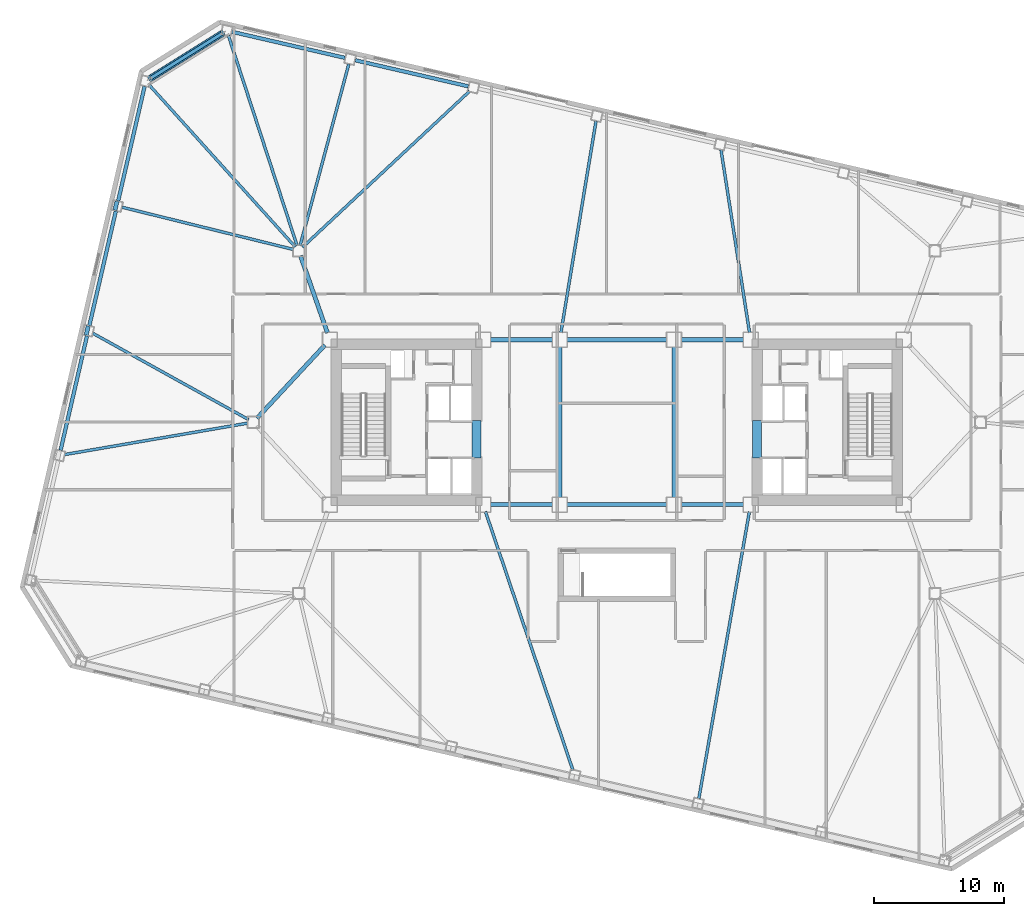
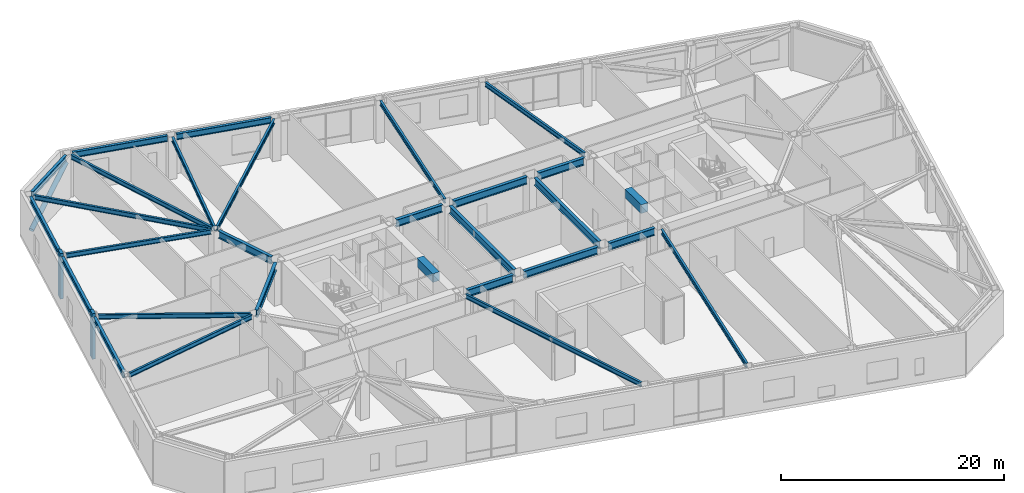
# One storey, part 5 of 19: 29 beams, 3 members.
"""IFC4 building model written with IfcOpenShell, lengths in metres."""

from ifc_helpers import new_model, si_unit, direction, frame, origin, origin_2d, place, context, subcontext, project, spatial, rectangle, hollow_circle, i_section, extrude, material, material_profile, profile_set, type_object, element, save


model = new_model("IFC4")

# Units and contexts
model_context = context("Model", 3, precision=1e-05, world=origin(), true_north=direction((0.0, 1.0)))
body_context = subcontext(model_context, "Body", "Model", "MODEL_VIEW")
ifc_project = project(units=[si_unit("LENGTHUNIT", "METRE"), si_unit("AREAUNIT", "SQUARE_METRE"), si_unit("VOLUMEUNIT", "CUBIC_METRE"), si_unit("PLANEANGLEUNIT", "RADIAN"), si_unit("MASSUNIT", "GRAM", prefix="KILO")], contexts=[model_context])

# Site, building, storey
site_placement = place(None, origin())
site = spatial("IfcSite", under=ifc_project, at=site_placement, CompositionType="ELEMENT")
building_placement = place(site_placement, origin())
building = spatial("IfcBuilding", under=site, at=building_placement, Name="Tavrogorsk Clinical Tower", CompositionType="ELEMENT")
storey_placement = place(building_placement, frame((0.0, 0.0, 28.39990234375)))
storey = spatial("IfcBuildingStorey", under=building, at=storey_placement, Name="L05", CompositionType="ELEMENT", Elevation=28.39990234375)

# Beams
ifc_material_1 = material(Name="Concrete B80", Category="concrete")
ifc_material_profile_1 = material_profile(ifc_material_1, rectangle(XDim=0.699951171875, YDim=0.949951171875, at=origin_2d()), Name="RC-CB-700x950")
ifc_profile_set_1 = profile_set([ifc_material_profile_1], Name="Concrete B80")
beam_type_1 = type_object("IfcBeamType", Name="CouplingBeam_RC700x950", PredefinedType="LINTEL", material=ifc_profile_set_1)
for number, where, z_axis, x_axis, name in (
    (1, (-10.800048828125, -2.75, 4.205078125), (0.0, 1.0, 0.0), (-1.0, 0.0, 0.0), "L05 Core West Coupling Beam"),
    (2, (10.800048828125, -2.75, 4.205078125), (0.0, 1.0, 0.0), (-1.0, 0.0, 0.0), "L05 Core East Coupling Beam"),
):
    element("IfcBeam", number, at=place(storey_placement, frame(where, z_axis=z_axis, x_axis=x_axis)), inside=storey, type_object=beam_type_1, Name=name, PredefinedType="LINTEL", context=body_context, shape_type="SweptSolid", body=[
        extrude(rectangle(XDim=0.699951171875, YDim=0.949951171875, at=origin_2d()), origin(), (0.0, 0.0, 1.0), 2.89990234375),
    ])

# Member
ifc_material_2 = material(Name="Structural steel S440", Category="steel")
ifc_material_profile_2 = material_profile(ifc_material_2, hollow_circle(Radius=0.25390625, WallThickness=0.02001953125, at=origin_2d()), Name="CHS-508x20")
ifc_profile_set_2 = profile_set([ifc_material_profile_2], Name="Structural steel S440")
member_type_1 = type_object("IfcMemberType", Name="ExoBrace_CHS508", PredefinedType="BRACE", material=ifc_profile_set_2)
member_placement = place(storey_placement, frame((-35.966796875, 26.453125, 0.482666015625), z_axis=(0.758402804717, 0.473861674203, 0.447526870163), x_axis=(-0.529886295154, 0.848068696633, 0.0)))
element("IfcMember", 3, at=member_placement, inside=storey, type_object=member_type_1, Name="L05 Corner Exoskeleton Brace N8-W1", PredefinedType="BRACE", context=body_context, shape_type="SweptSolid", body=[
    extrude(hollow_circle(Radius=0.25390625, WallThickness=0.02001953125, at=origin_2d()), origin(), (0.0, 0.0, 1.0), 7.4072265625),
])

# Beams
ifc_material_3 = material(Name="Structural steel S355", Category="steel")
ifc_material_profile_3 = material_profile(ifc_material_3, i_section(OverallWidth=0.219970703125, OverallDepth=0.5, WebThickness=0.012939453125, FlangeThickness=0.02001953125, at=origin_2d()), Name="B-500x220x13x20")
ifc_profile_set_3 = profile_set([ifc_material_profile_3], Name="Structural steel S355")
beam_type_2 = type_object("IfcBeamType", Name="FloorBeam_B500", PredefinedType="BEAM", material=ifc_profile_set_3)
beam_1_placement = place(storey_placement, frame((-10.12060546875, -6.88037109375, 4.43017578125), z_axis=(0.320354062285, -0.947297880699, 0.0), x_axis=(0.947297880699, 0.320354062285, 0.0)))
element("IfcBeam", 4, at=beam_1_placement, inside=storey, type_object=beam_type_2, Name="L05 Radial Floor Beam S5", PredefinedType="BEAM", context=body_context, shape_type="SweptSolid", body=[
    extrude(i_section(OverallWidth=0.219970703125, OverallDepth=0.5, WebThickness=0.012939453125, FlangeThickness=0.02001953125, at=origin_2d()), origin(), (0.0, 0.0, 1.0), 21.0185546875),
])
beam_2_placement = place(storey_placement, frame((10.202880859375, -6.901611328125, 4.43017578125), z_axis=(-0.173586433417, -0.984818638194, 0.0), x_axis=(0.984818638194, -0.173586433417, 0.0)))
element("IfcBeam", 5, at=beam_2_placement, inside=storey, type_object=beam_type_2, Name="L05 Radial Floor Beam S6", PredefinedType="BEAM", context=body_context, shape_type="SweptSolid", body=[
    extrude(i_section(OverallWidth=0.219970703125, OverallDepth=0.5, WebThickness=0.012939453125, FlangeThickness=0.02001953125, at=origin_2d()), origin(), (0.0, 0.0, 1.0), 22.407470703125),
])
beam_3_placement = place(storey_placement, frame((10.213623046875, 6.9033203125, 4.43017578125), z_axis=(-0.154089917001, 0.988056829073, 0.0), x_axis=(-0.988056829073, -0.154089917001, 0.0)))
element("IfcBeam", 6, at=beam_3_placement, inside=storey, type_object=beam_type_2, Name="L05 Radial Floor Beam N4", PredefinedType="BEAM", context=body_context, shape_type="SweptSolid", body=[
    extrude(i_section(OverallWidth=0.219970703125, OverallDepth=0.5, WebThickness=0.012939453125, FlangeThickness=0.02001953125, at=origin_2d()), origin(), (0.0, 0.0, 1.0), 14.24853515625),
])
beam_4_placement = place(storey_placement, frame((-4.308349609375, 6.90234375, 4.43017578125), z_axis=(0.163563683006, 0.986532777763, 0.0), x_axis=(-0.986532777763, 0.163563683006, 0.0)))
element("IfcBeam", 7, at=beam_4_placement, inside=storey, type_object=beam_type_2, Name="L05 Radial Floor Beam N5", PredefinedType="BEAM", context=body_context, shape_type="SweptSolid", body=[
    extrude(i_section(OverallWidth=0.219970703125, OverallDepth=0.5, WebThickness=0.012939453125, FlangeThickness=0.02001953125, at=origin_2d()), origin(), (0.0, 0.0, 1.0), 16.4951171875),
])
beam_5_placement = place(storey_placement, frame((-24.200439453125, 13.47998046875, 4.43017578125), z_axis=(0.730781163302, 0.682611816015, 0.0), x_axis=(-0.682611816015, 0.730781163302, 0.0)))
element("IfcBeam", 8, at=beam_5_placement, inside=storey, type_object=beam_type_2, Name="L05 Radial Floor Beam N6", PredefinedType="BEAM", context=body_context, shape_type="SweptSolid", body=[
    extrude(i_section(OverallWidth=0.219970703125, OverallDepth=0.5, WebThickness=0.012939453125, FlangeThickness=0.02001953125, at=origin_2d()), origin(), (0.0, 0.0, 1.0), 17.597412109375),
])
beam_6_placement = place(storey_placement, frame((-24.393798828125, 13.595947265625, 4.43017578125), z_axis=(0.25900262632, 0.965876617151, 0.0), x_axis=(-0.965876617151, 0.25900262632, 0.0)))
element("IfcBeam", 9, at=beam_6_placement, inside=storey, type_object=beam_type_2, Name="L05 Radial Floor Beam N7", PredefinedType="BEAM", context=body_context, shape_type="SweptSolid", body=[
    extrude(i_section(OverallWidth=0.219970703125, OverallDepth=0.5, WebThickness=0.012939453125, FlangeThickness=0.02001953125, at=origin_2d()), origin(), (0.0, 0.0, 1.0), 14.46728515625),
])
beam_7_placement = place(storey_placement, frame((-24.62744140625, 13.58984375, 4.43017578125), z_axis=(-0.310546210819, 0.950558283824, 0.0), x_axis=(-0.950558283824, -0.310546210819, 0.0)))
element("IfcBeam", 10, at=beam_7_placement, inside=storey, type_object=beam_type_2, Name="L05 Radial Floor Beam N8", PredefinedType="BEAM", context=body_context, shape_type="SweptSolid", body=[
    extrude(i_section(OverallWidth=0.219970703125, OverallDepth=0.5, WebThickness=0.012939453125, FlangeThickness=0.02001953125, at=origin_2d()), origin(), (0.0, 0.0, 1.0), 17.0205078125),
])
beam_8_placement = place(storey_placement, frame((-24.774658203125, 13.50439453125, 4.43017578125), z_axis=(-0.669660294237, 0.742667550337, 0.0), x_axis=(-0.742667550337, -0.669660294237, 0.0)))
element("IfcBeam", 11, at=beam_8_placement, inside=storey, type_object=beam_type_2, Name="L05 Radial Floor Beam W1", PredefinedType="BEAM", context=body_context, shape_type="SweptSolid", body=[
    extrude(i_section(OverallWidth=0.219970703125, OverallDepth=0.5, WebThickness=0.012939453125, FlangeThickness=0.02001953125, at=origin_2d()), origin(), (0.0, 0.0, 1.0), 16.76708984375),
])
beam_9_placement = place(storey_placement, frame((-24.89794921875, 13.298095703125, 4.43017578125), z_axis=(-0.970889910259, 0.23952616174, 0.0), x_axis=(-0.23952616174, -0.970889910259, 0.0)))
element("IfcBeam", 12, at=beam_9_placement, inside=storey, type_object=beam_type_2, Name="L05 Radial Floor Beam W2", PredefinedType="BEAM", context=body_context, shape_type="SweptSolid", body=[
    extrude(i_section(OverallWidth=0.219970703125, OverallDepth=0.5, WebThickness=0.012939453125, FlangeThickness=0.02001953125, at=origin_2d()), origin(), (0.0, 0.0, 1.0), 13.595947265625),
])
beam_10_placement = place(storey_placement, frame((-28.358642578125, 0.19873046875, 4.43017578125), z_axis=(-0.874654711976, 0.484746464472, 0.0), x_axis=(-0.484746464472, -0.874654711976, 0.0)))
element("IfcBeam", 13, at=beam_10_placement, inside=storey, type_object=beam_type_2, Name="L05 Radial Floor Beam W3", PredefinedType="BEAM", context=body_context, shape_type="SweptSolid", body=[
    extrude(i_section(OverallWidth=0.219970703125, OverallDepth=0.5, WebThickness=0.012939453125, FlangeThickness=0.02001953125, at=origin_2d()), origin(), (0.0, 0.0, 1.0), 13.7158203125),
])
beam_11_placement = place(storey_placement, frame((-28.404052734375, -0.0693359375, 4.43017578125), z_axis=(-0.985592408786, -0.169137824698, 0.0), x_axis=(0.169137824698, -0.985592408786, 0.0)))
element("IfcBeam", 14, at=beam_11_placement, inside=storey, type_object=beam_type_2, Name="L05 Radial Floor Beam W4", PredefinedType="BEAM", context=body_context, shape_type="SweptSolid", body=[
    extrude(i_section(OverallWidth=0.219970703125, OverallDepth=0.5, WebThickness=0.012939453125, FlangeThickness=0.02001953125, at=origin_2d()), origin(), (0.0, 0.0, 1.0), 14.33056640625),
])

# Members
ifc_material_4 = material(Name="Precast concrete B45 with limestone cladding", Category="masonry")
ifc_material_profile_4 = material_profile(ifc_material_4, rectangle(XDim=0.320068359375, YDim=0.719970703125, at=origin_2d()), Name="LIMESTONE-FIN-320x720")
ifc_profile_set_4 = profile_set([ifc_material_profile_4], Name="Precast concrete B45 with limestone cladding")
member_type_2 = type_object("IfcMemberType", Name="LimestonePleatFin_320x720", PredefinedType="USERDEFINED", material=ifc_profile_set_4)
for number, where, z_axis, x_axis, name in (
    (15, (-38.572265625, 16.67041015625, 0.0), (0.0, 0.0, 1.0), (0.974370064785, -0.224951054344, 0.0), "L05 W Pleated Stone Fin 1"),
    (16, (-40.7900390625, 7.06298828125, 0.0), (0.0, 0.0, 1.0), (0.974370064785, -0.224951054344, 0.0), "L05 W Pleated Stone Fin 2"),
):
    element("IfcMember", number, at=place(storey_placement, frame(where, z_axis=z_axis, x_axis=x_axis)), inside=storey, type_object=member_type_2, Name=name, ObjectType="FIN", PredefinedType="USERDEFINED", context=body_context, shape_type="SweptSolid", body=[
        extrude(rectangle(XDim=0.320068359375, YDim=0.719970703125, at=origin_2d()), origin(), (0.0, 0.0, 1.0), 5.0),
    ])

# Beams
ifc_material_5 = material(Name="Structural steel S390", Category="steel")
ifc_material_profile_5 = material_profile(ifc_material_5, i_section(OverallWidth=0.320068359375, OverallDepth=0.800048828125, WebThickness=0.02001953125, FlangeThickness=0.033935546875, at=origin_2d()), Name="B-800x320x20x34")
ifc_profile_set_5 = profile_set([ifc_material_profile_5], Name="Structural steel S390")
beam_type_3 = type_object("IfcBeamType", Name="PrimaryGirder_B800", PredefinedType="USERDEFINED", material=ifc_profile_set_5)
for number, where, z_axis, x_axis, name in (
    (17, (-9.739990234375, -6.35009765625, 4.280029296875), (1.0, 0.0, 0.0), (0.0, 1.0, 0.0), "L05 Primary Spine Girder MG-01"),
    (18, (-9.739990234375, 6.35009765625, 4.280029296875), (1.0, 0.0, 0.0), (0.0, 1.0, 0.0), "L05 Primary Spine Girder MG-02"),
):
    element("IfcBeam", number, at=place(storey_placement, frame(where, z_axis=z_axis, x_axis=x_axis)), inside=storey, type_object=beam_type_3, Name=name, ObjectType="GIRDER", PredefinedType="USERDEFINED", context=body_context, shape_type="SweptSolid", body=[
        extrude(i_section(OverallWidth=0.320068359375, OverallDepth=0.800048828125, WebThickness=0.02001953125, FlangeThickness=0.033935546875, at=origin_2d()), origin(), (0.0, 0.0, 1.0), 4.780029296875),
    ])
for number, where, z_axis, x_axis, name in (
    (19, (-3.840087890625, -6.35009765625, 4.280029296875), (1.0, 0.0, 0.0), (0.0, 1.0, 0.0), "L05 Primary Spine Girder MG-03"),
    (20, (-3.840087890625, 6.35009765625, 4.280029296875), (1.0, 0.0, 0.0), (0.0, 1.0, 0.0), "L05 Primary Spine Girder MG-04"),
):
    element("IfcBeam", number, at=place(storey_placement, frame(where, z_axis=z_axis, x_axis=x_axis)), inside=storey, type_object=beam_type_3, Name=name, ObjectType="GIRDER", PredefinedType="USERDEFINED", context=body_context, shape_type="SweptSolid", body=[
        extrude(i_section(OverallWidth=0.320068359375, OverallDepth=0.800048828125, WebThickness=0.02001953125, FlangeThickness=0.033935546875, at=origin_2d()), origin(), (0.0, 0.0, 1.0), 7.68017578125),
    ])
for number, where, z_axis, x_axis, name in (
    (21, (4.9599609375, -6.35009765625, 4.280029296875), (1.0, 0.0, 0.0), (0.0, 1.0, 0.0), "L05 Primary Spine Girder MG-05"),
    (22, (4.9599609375, 6.35009765625, 4.280029296875), (1.0, 0.0, 0.0), (0.0, 1.0, 0.0), "L05 Primary Spine Girder MG-06"),
):
    element("IfcBeam", number, at=place(storey_placement, frame(where, z_axis=z_axis, x_axis=x_axis)), inside=storey, type_object=beam_type_3, Name=name, ObjectType="GIRDER", PredefinedType="USERDEFINED", context=body_context, shape_type="SweptSolid", body=[
        extrude(i_section(OverallWidth=0.320068359375, OverallDepth=0.800048828125, WebThickness=0.02001953125, FlangeThickness=0.033935546875, at=origin_2d()), origin(), (0.0, 0.0, 1.0), 4.780029296875),
    ])
for number, where, z_axis, x_axis, name in (
    (23, (-4.39990234375, -5.7900390625, 4.280029296875), (0.0, 1.0, 0.0), (-1.0, 0.0, 0.0), "L05 Primary Spine Girder MG-07"),
    (24, (4.39990234375, -5.7900390625, 4.280029296875), (0.0, 1.0, 0.0), (-1.0, 0.0, 0.0), "L05 Primary Spine Girder MG-08"),
):
    element("IfcBeam", number, at=place(storey_placement, frame(where, z_axis=z_axis, x_axis=x_axis)), inside=storey, type_object=beam_type_3, Name=name, ObjectType="GIRDER", PredefinedType="USERDEFINED", context=body_context, shape_type="SweptSolid", body=[
        extrude(i_section(OverallWidth=0.320068359375, OverallDepth=0.800048828125, WebThickness=0.02001953125, FlangeThickness=0.033935546875, at=origin_2d()), origin(), (0.0, 0.0, 1.0), 11.580078125),
    ])
beam_12_placement = place(storey_placement, frame((-24.364501953125, 12.81298828125, 4.280029296875), z_axis=(0.330668611543, -0.943746930771, 0.0), x_axis=(0.943746930771, 0.330668611543, 0.0)))
element("IfcBeam", 25, at=beam_12_placement, inside=storey, type_object=beam_type_3, Name="L05 Spine Link Girder OPG-3", ObjectType="GIRDER", PredefinedType="USERDEFINED", context=body_context, shape_type="SweptSolid", body=[
    extrude(i_section(OverallWidth=0.320068359375, OverallDepth=0.800048828125, WebThickness=0.02001953125, FlangeThickness=0.033935546875, at=origin_2d()), origin(), (0.0, 0.0, 1.0), 6.288330078125),
])
beam_13_placement = place(storey_placement, frame((-27.720947265625, 0.30029296875, 4.280029296875), z_axis=(0.680671250221, 0.732589004233, 0.0), x_axis=(-0.732589004233, 0.680671250221, 0.0)))
element("IfcBeam", 26, at=beam_13_placement, inside=storey, type_object=beam_type_3, Name="L05 Spine Link Girder OPG-6", ObjectType="GIRDER", PredefinedType="USERDEFINED", context=body_context, shape_type="SweptSolid", body=[
    extrude(i_section(OverallWidth=0.320068359375, OverallDepth=0.800048828125, WebThickness=0.02001953125, FlangeThickness=0.033935546875, at=origin_2d()), origin(), (0.0, 0.0, 1.0), 7.697998046875),
])
ifc_material_6 = material(Name="Structural steel S390", Category="steel")
ifc_material_profile_6 = material_profile(ifc_material_6, i_section(OverallWidth=0.280029296875, OverallDepth=0.64990234375, WebThickness=0.01611328125, FlangeThickness=0.02490234375, at=origin_2d()), Name="B-650x280x16x25")
ifc_profile_set_6 = profile_set([ifc_material_profile_6], Name="Structural steel S390")
beam_type_4 = type_object("IfcBeamType", Name="SpandrelBeam_B650", PredefinedType="SPANDREL", material=ifc_profile_set_6)
for number, where, z_axis, x_axis, name in (
    (27, (-11.43994140625, 25.862548828125, 4.35498046875), (-0.974372766602, 0.224939351168, 0.0), (-0.224939351168, -0.974372766602, 0.0), "L05 Perimeter Spandrel N6-N7"),
    (28, (-20.9384765625, 28.055419921875, 4.35498046875), (-0.974366775889, 0.224965299645, 0.0), (-0.224965299645, -0.974366775889, 0.0), "L05 Perimeter Spandrel N7-N8"),
):
    element("IfcBeam", number, at=place(storey_placement, frame(where, z_axis=z_axis, x_axis=x_axis)), inside=storey, type_object=beam_type_4, Name=name, PredefinedType="SPANDREL", context=body_context, shape_type="SweptSolid", body=[
        extrude(i_section(OverallWidth=0.280029296875, OverallDepth=0.64990234375, WebThickness=0.01611328125, FlangeThickness=0.02490234375, at=origin_2d()), origin(), (0.0, 0.0, 1.0), 8.9326171875),
    ])
beam_14_placement = place(storey_placement, frame((-30.3857421875, 29.9404296875, 4.35498046875), z_axis=(-0.848044454239, -0.529925092475, 0.0), x_axis=(0.529925092475, -0.848044454239, 0.0)))
element("IfcBeam", 29, at=beam_14_placement, inside=storey, type_object=beam_type_4, Name="L05 Perimeter Spandrel N8-W1", PredefinedType="SPANDREL", context=body_context, shape_type="SweptSolid", body=[
    extrude(i_section(OverallWidth=0.280029296875, OverallDepth=0.64990234375, WebThickness=0.01611328125, FlangeThickness=0.02490234375, at=origin_2d()), origin(), (0.0, 0.0, 1.0), 6.537841796875),
])
beam_15_placement = place(storey_placement, frame((-36.367919921875, 25.862060546875, 4.35498046875), z_axis=(-0.224952169462, -0.974369807339, 0.0), x_axis=(0.974369807339, -0.224952169462, 0.0)))
element("IfcBeam", 30, at=beam_15_placement, inside=storey, type_object=beam_type_4, Name="L05 Perimeter Spandrel W1-W2", PredefinedType="SPANDREL", context=body_context, shape_type="SweptSolid", body=[
    extrude(i_section(OverallWidth=0.280029296875, OverallDepth=0.64990234375, WebThickness=0.01611328125, FlangeThickness=0.02490234375, at=origin_2d()), origin(), (0.0, 0.0, 1.0), 9.043701171875),
])
beam_16_placement = place(storey_placement, frame((-38.5859375, 16.2548828125, 4.35498046875), z_axis=(-0.224946252597, -0.974371173343, 0.0), x_axis=(0.974371173343, -0.224946252597, 0.0)))
element("IfcBeam", 31, at=beam_16_placement, inside=storey, type_object=beam_type_4, Name="L05 Perimeter Spandrel W2-W3", PredefinedType="SPANDREL", context=body_context, shape_type="SweptSolid", body=[
    extrude(i_section(OverallWidth=0.280029296875, OverallDepth=0.64990234375, WebThickness=0.01611328125, FlangeThickness=0.02490234375, at=origin_2d()), origin(), (0.0, 0.0, 1.0), 9.0439453125),
])
beam_17_placement = place(storey_placement, frame((-40.803955078125, 6.6474609375, 4.35498046875), z_axis=(-0.224952169462, -0.974369807339, 0.0), x_axis=(0.974369807339, -0.224952169462, 0.0)))
element("IfcBeam", 32, at=beam_17_placement, inside=storey, type_object=beam_type_4, Name="L05 Perimeter Spandrel W3-W4", PredefinedType="SPANDREL", context=body_context, shape_type="SweptSolid", body=[
    extrude(i_section(OverallWidth=0.280029296875, OverallDepth=0.64990234375, WebThickness=0.01611328125, FlangeThickness=0.02490234375, at=origin_2d()), origin(), (0.0, 0.0, 1.0), 9.043701171875),
])

save(model, "model.ifc")
